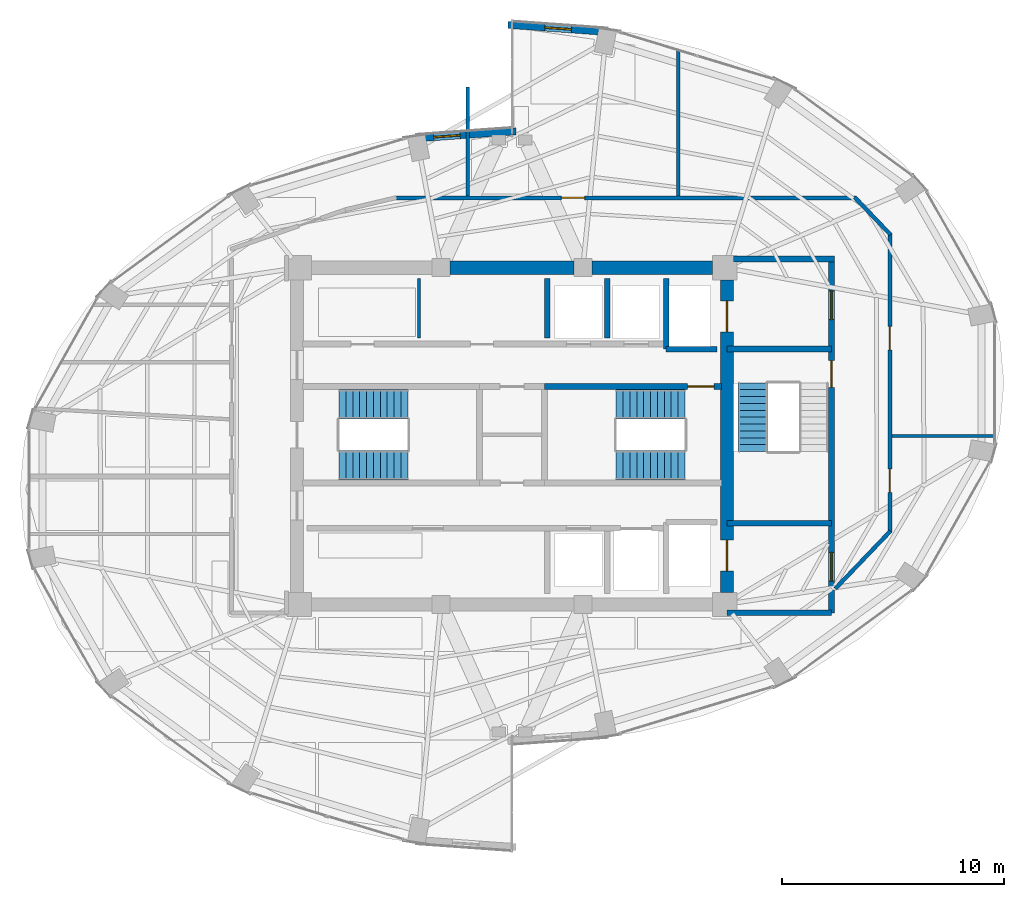
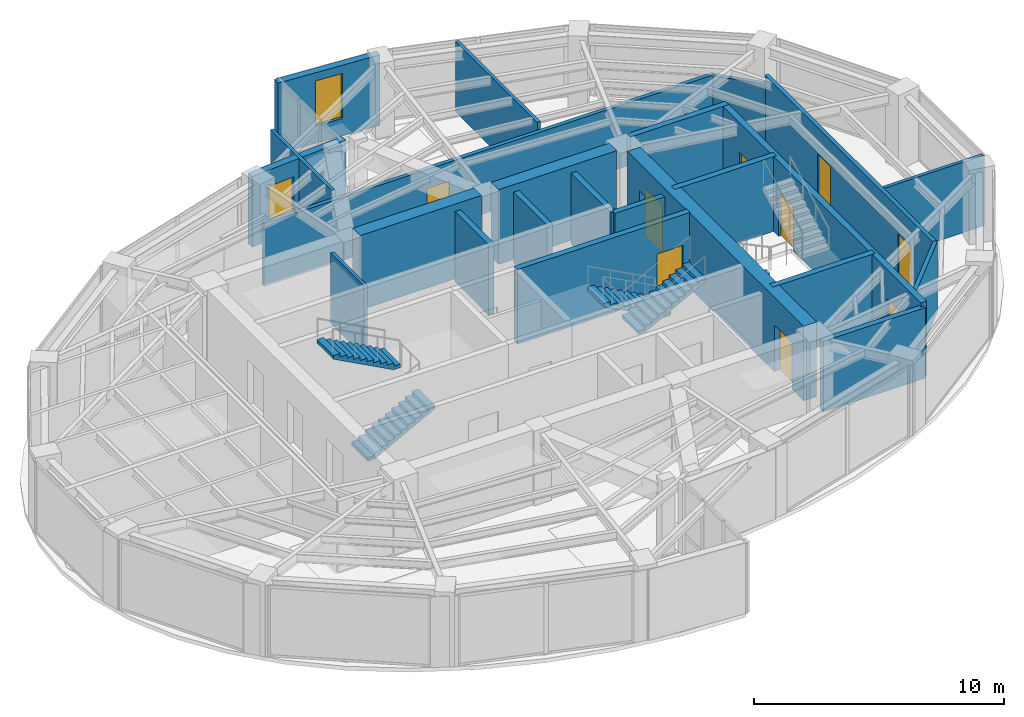
# One storey, part 20 of 23: 23 walls, 9 doors, 5 stair flights, 2 windows, 11 openings, 3 elements without a shape of their own.
"""IFC4 building model written with IfcOpenShell, lengths in metres."""

from ifc_helpers import new_model, si_unit, direction, frame, frame_2d, origin, place, context, subcontext, project, spatial, polyline, rectangle, outline, extrude, material, layer, layer_set, type_object, element, fill, aggregate, save


model = new_model("IFC4")

# Units and contexts
model_context = context("Model", 3, precision=1e-05, world=origin(), true_north=direction((0.0, 1.0)))
body_context = subcontext(model_context, "Body", "Model", "MODEL_VIEW")
ifc_project = project(units=[si_unit("LENGTHUNIT", "METRE"), si_unit("AREAUNIT", "SQUARE_METRE"), si_unit("VOLUMEUNIT", "CUBIC_METRE"), si_unit("PLANEANGLEUNIT", "RADIAN"), si_unit("MASSUNIT", "GRAM", prefix="KILO")], contexts=[model_context])

# Site, building, storey
site_placement = place(None, origin())
site = spatial("IfcSite", under=ifc_project, at=site_placement, CompositionType="ELEMENT")
building_placement = place(site_placement, origin())
building = spatial("IfcBuilding", under=site, at=building_placement, Name="Lazwardi Medical Tower", CompositionType="ELEMENT")
storey_placement = place(building_placement, frame((0.0, 0.0, 205.77587890625)))
storey = spatial("IfcBuildingStorey", under=building, at=storey_placement, Name="L53", CompositionType="ELEMENT", Elevation=205.77587890625)

# Wall, opening, door
ifc_material_1 = material(Name="Fire-rated gypsum board on steel stud", Category="steel")
ifc_layer_1 = layer(ifc_material_1, 0.179931640625)
ifc_layer_set_1 = layer_set([ifc_layer_1], Name="Fire-rated gypsum board on steel stud")
wall_type_1 = type_object("IfcWallType", Name="WL-COR-180", PredefinedType="PARTITIONING", material=ifc_layer_set_1)
wall_1_placement = place(storey_placement, frame((30.709716796875, 38.75, 0.0), z_axis=(0.0, 0.0, 1.0), x_axis=(1.0, 0.0, 0.0)))
wall_1 = element("IfcWall", 1, at=wall_1_placement, inside=storey, type_object=wall_type_1, Name="L53 Corridor partition 3", PredefinedType="PARTITIONING", context=body_context, shape_type="SweptSolid", body=[
    extrude(rectangle(XDim=20.8154296875, YDim=0.179931640625, at=frame_2d((10.40771484375, 0.0))), origin(), (0.0, 0.0, 1.0), 3.0732421875),
])
opening_1_placement = place(wall_1_placement, frame((7.51513671875, 0.0, 0.0)))
opening_1 = element("IfcOpeningElement", 2, at=opening_1_placement, cuts=wall_1, Name="Opening D-L53-014", PredefinedType="OPENING", context=body_context, shape_type="SweptSolid", body=[
    extrude(rectangle(XDim=1.050048828125, YDim=2.14990234375, at=frame_2d((0.52490234375, 1.074951171875))), frame((0.0, 0.099853515625, 0.0), z_axis=(0.0, -1.0, 0.0), x_axis=(1.0, 0.0, 0.0)), (0.0, 0.0, 1.0), 0.199951171875),
])
ifc_material_2 = material(Name="Anti-microbial laminate hospital leaf")
door_type_1 = type_object("IfcDoorType", Name="DR-CLN-1050", OperationType="NOTDEFINED", PredefinedType="DOOR", material=ifc_material_2)
door_1_placement = place(opening_1_placement, origin())
door_1 = element("IfcDoor", 3, at=door_1_placement, inside=storey, type_object=door_type_1, Name="L53 Outpatient Consultation Suite Door 05", OperationType="SINGLE_SWING_LEFT", OverallHeight=2.14990234375, OverallWidth=1.050048828125, PredefinedType="DOOR", context=body_context, shape_type="SweptSolid", body=[
    extrude(rectangle(XDim=1.050048828125, YDim=2.14990234375, at=frame_2d((0.52490234375, 1.074951171875))), frame((0.0, 0.02490234375, 0.0), z_axis=(0.0, -1.0, 0.0), x_axis=(1.0, 0.0, 0.0)), (0.0, 0.0, 1.0), 0.050048828125),
])
fill(opening_1, door_1)

# Wall
wall_2_placement = place(storey_placement, frame((51.45751953125, 38.77880859375, 0.0), z_axis=(0.0, 0.0, 1.0), x_axis=(0.691359830363, -0.722510612352, 0.0)))
element("IfcWall", 4, at=wall_2_placement, inside=storey, type_object=wall_type_1, Name="L53 Corridor partition 4", PredefinedType="PARTITIONING", context=body_context, shape_type="SweptSolid", body=[
    extrude(rectangle(XDim=2.34326171875, YDim=0.179931640625, at=frame_2d((1.171630859375, 0.0))), origin(), (0.0, 0.0, 1.0), 3.033203125),
])

# Wall, openings, doors
wall_3_placement = place(storey_placement, frame((53.050048828125, 37.154541015625, 0.0), z_axis=(0.0, 0.0, 1.0), x_axis=(0.0, -1.0, 0.0)))
wall_3 = element("IfcWall", 5, at=wall_3_placement, inside=storey, type_object=wall_type_1, Name="L53 Corridor partition 5", PredefinedType="PARTITIONING", context=body_context, shape_type="SweptSolid", body=[
    extrude(rectangle(XDim=13.509033203125, YDim=0.179931640625, at=frame_2d((6.75439453125, 0.0))), origin(), (0.0, 0.0, 1.0), 3.4482421875),
])
opening_2_placement = place(wall_3_placement, frame((10.647705078125, 0.0, 0.0)))
opening_2 = element("IfcOpeningElement", 6, at=opening_2_placement, cuts=wall_3, Name="Opening D-L53-012", PredefinedType="OPENING", context=body_context, shape_type="SweptSolid", body=[
    extrude(rectangle(XDim=1.050048828125, YDim=2.14990234375, at=frame_2d((0.52490234375, 1.074951171875))), frame((0.0, 0.099853515625, 0.0), z_axis=(0.0, -1.0, 0.0), x_axis=(1.0, 0.0, 0.0)), (0.0, 0.0, 1.0), 0.199951171875),
])
opening_3_placement = place(wall_3_placement, frame((4.211181640625, 0.0, 0.0)))
opening_3 = element("IfcOpeningElement", 7, at=opening_3_placement, cuts=wall_3, Name="Opening D-L53-013", PredefinedType="OPENING", context=body_context, shape_type="SweptSolid", body=[
    extrude(rectangle(XDim=1.050048828125, YDim=2.14990234375, at=frame_2d((0.52490234375, 1.074951171875))), frame((0.0, 0.099853515625, 0.0), z_axis=(0.0, -1.0, 0.0), x_axis=(1.0, 0.0, 0.0)), (0.0, 0.0, 1.0), 0.199951171875),
])
door_2_placement = place(opening_2_placement, origin())
door_2 = element("IfcDoor", 8, at=door_2_placement, inside=storey, type_object=door_type_1, Name="L53 Medical Duty Staff Room Door 03", OperationType="SINGLE_SWING_LEFT", OverallHeight=2.14990234375, OverallWidth=1.050048828125, PredefinedType="DOOR", context=body_context, shape_type="SweptSolid", body=[
    extrude(rectangle(XDim=1.050048828125, YDim=2.14990234375, at=frame_2d((0.52490234375, 1.074951171875))), frame((0.0, 0.02490234375, 0.0), z_axis=(0.0, -1.0, 0.0), x_axis=(1.0, 0.0, 0.0)), (0.0, 0.0, 1.0), 0.050048828125),
])
fill(opening_2, door_2)
door_3_placement = place(opening_3_placement, origin())
door_3 = element("IfcDoor", 9, at=door_3_placement, inside=storey, type_object=door_type_1, Name="L53 Clinical Specialist Office Door 04", OperationType="SINGLE_SWING_RIGHT", OverallHeight=2.14990234375, OverallWidth=1.050048828125, PredefinedType="DOOR", context=body_context, shape_type="SweptSolid", body=[
    extrude(rectangle(XDim=1.050048828125, YDim=2.14990234375, at=frame_2d((0.52490234375, 1.074951171875))), frame((0.0, 0.02490234375, 0.0), z_axis=(0.0, -1.0, 0.0), x_axis=(1.0, 0.0, 0.0)), (0.0, 0.0, 1.0), 0.050048828125),
])
fill(opening_3, door_3)

# Wall
wall_4_placement = place(storey_placement, frame((53.07763671875, 23.71435546875, 0.0), z_axis=(0.0, 0.0, 1.0), x_axis=(-0.691353379446, -0.722516785085, 0.0)))
element("IfcWall", 10, at=wall_4_placement, inside=storey, type_object=wall_type_1, Name="L53 Corridor partition 6", PredefinedType="PARTITIONING", context=body_context, shape_type="SweptSolid", body=[
    extrude(rectangle(XDim=3.603759765625, YDim=0.179931640625, at=frame_2d((1.8017578125, 0.0))), origin(), (0.0, 0.0, 1.0), 3.4482421875),
])

# Wall, openings, doors
ifc_material_3 = material(Name="Concrete C60/75", Category="concrete")
ifc_layer_2 = layer(ifc_material_3, 0.60009765625)
ifc_layer_set_2 = layer_set([ifc_layer_2], Name="Concrete C60/75")
wall_type_2 = type_object("IfcWallType", Name="WL-CORE-600", PredefinedType="SHEAR", material=ifc_layer_set_2)
wall_5_placement = place(storey_placement, frame((45.699951171875, 20.949951171875, 0.0), z_axis=(0.0, 0.0, 1.0), x_axis=(0.0, 1.0, 0.0)))
wall_5 = element("IfcWall", 11, at=wall_5_placement, inside=storey, type_object=wall_type_2, Name="Core wall CW-S3 east L53", PredefinedType="SHEAR", context=body_context, shape_type="SweptSolid", body=[
    extrude(rectangle(XDim=14.10009765625, YDim=0.60009765625, at=frame_2d((7.050048828125, 0.0))), origin(), (0.0, 0.0, 1.0), 3.648193359375),
])
opening_4_placement = place(wall_5_placement, frame((11.75, 0.0, 0.0)))
opening_4 = element("IfcOpeningElement", 12, at=opening_4_placement, cuts=wall_5, Name="Opening LD-L53-001", PredefinedType="OPENING", context=body_context, shape_type="SweptSolid", body=[
    extrude(rectangle(XDim=1.39990234375, YDim=2.300048828125, at=frame_2d((0.699951171875, 1.14990234375))), frame((0.0, 0.31005859375, 0.0), z_axis=(0.0, -1.0, 0.0), x_axis=(1.0, 0.0, 0.0)), (0.0, 0.0, 1.0), 0.6201171875),
])
opening_5_placement = place(wall_5_placement, frame((0.949951171875, 0.0, 0.0)))
opening_5 = element("IfcOpeningElement", 13, at=opening_5_placement, cuts=wall_5, Name="Opening LD-L53-002", PredefinedType="OPENING", context=body_context, shape_type="SweptSolid", body=[
    extrude(rectangle(XDim=1.39990234375, YDim=2.300048828125, at=frame_2d((0.699951171875, 1.14990234375))), frame((0.0, 0.31005859375, 0.0), z_axis=(0.0, -1.0, 0.0), x_axis=(1.0, 0.0, 0.0)), (0.0, 0.0, 1.0), 0.6201171875),
])
ifc_material_4 = material(Name="Brushed stainless steel bed-lift landing door", Category="steel")
door_type_2 = type_object("IfcDoorType", Name="DR-LFT-1400", OperationType="NOTDEFINED", PredefinedType="DOOR", material=ifc_material_4)
door_4_placement = place(opening_4_placement, origin())
door_4 = element("IfcDoor", 14, at=door_4_placement, inside=storey, type_object=door_type_2, Name="L53 Lift Landing Door FL-01", OperationType="SLIDING_TO_LEFT", OverallHeight=2.300048828125, OverallWidth=1.39990234375, PredefinedType="DOOR", context=body_context, shape_type="SweptSolid", body=[
    extrude(rectangle(XDim=1.39990234375, YDim=2.300048828125, at=frame_2d((0.699951171875, 1.14990234375))), frame((0.0, 0.02490234375, 0.0), z_axis=(0.0, -1.0, 0.0), x_axis=(1.0, 0.0, 0.0)), (0.0, 0.0, 1.0), 0.050048828125),
])
fill(opening_4, door_4)
door_5_placement = place(opening_5_placement, origin())
door_5 = element("IfcDoor", 15, at=door_5_placement, inside=storey, type_object=door_type_2, Name="L53 Lift Landing Door FL-02", OperationType="SLIDING_TO_LEFT", OverallHeight=2.300048828125, OverallWidth=1.39990234375, PredefinedType="DOOR", context=body_context, shape_type="SweptSolid", body=[
    extrude(rectangle(XDim=1.39990234375, YDim=2.300048828125, at=frame_2d((0.699951171875, 1.14990234375))), frame((0.0, 0.02490234375, 0.0), z_axis=(0.0, -1.0, 0.0), x_axis=(1.0, 0.0, 0.0)), (0.0, 0.0, 1.0), 0.050048828125),
])
fill(opening_5, door_5)

# Walls
wall_6_placement = place(storey_placement, frame((33.199951171875, 35.60009765625, 0.0), z_axis=(0.0, 0.0, 1.0), x_axis=(1.0, 0.0, 0.0)))
element("IfcWall", 16, at=wall_6_placement, inside=storey, type_object=wall_type_2, Name="Core wall CW-S3 N2 L53", PredefinedType="SHEAR", context=body_context, shape_type="SweptSolid", body=[
    extrude(rectangle(XDim=5.60009765625, YDim=0.60009765625, at=frame_2d((2.800048828125, 0.0))), origin(), (0.0, 0.0, 1.0), 3.648193359375),
])
wall_7_placement = place(storey_placement, frame((39.60009765625, 35.60009765625, 0.0), z_axis=(0.0, 0.0, 1.0), x_axis=(1.0, 0.0, 0.0)))
element("IfcWall", 17, at=wall_7_placement, inside=storey, type_object=wall_type_2, Name="Core wall CW-S3 N3 L53", PredefinedType="SHEAR", context=body_context, shape_type="SweptSolid", body=[
    extrude(rectangle(XDim=5.449951171875, YDim=0.60009765625, at=frame_2d((2.72509765625, 0.0))), origin(), (0.0, 0.0, 1.0), 3.648193359375),
])

# Wall, opening, window
ifc_material_5 = material(Name="Precast concrete C45/55", Category="concrete")
ifc_layer_3 = layer(ifc_material_5, 0.320068359375)
ifc_layer_set_3 = layer_set([ifc_layer_3], Name="Precast concrete C45/55")
wall_type_3 = type_object("IfcWallType", Name="WL-IWAN-320", PredefinedType="SOLIDWALL", material=ifc_layer_set_3)
wall_8_placement = place(storey_placement, frame((40.349609375, 46.226318359375, 0.0), z_axis=(0.0, 0.0, 1.0), x_axis=(-0.997409061056, 0.071938619141, 0.0)))
wall_8 = element("IfcWall", 18, at=wall_8_placement, inside=storey, type_object=wall_type_3, Name="L53 Iwan Portal Return Wall NE_ret", PredefinedType="SOLIDWALL", context=body_context, shape_type="SweptSolid", body=[
    extrude(rectangle(XDim=4.540771484375, YDim=0.320068359375, at=frame_2d((2.2705078125, 0.0))), origin(), (0.0, 0.0, 1.0), 3.4482421875),
])
opening_6_placement = place(wall_8_placement, frame((1.67041015625, 0.0, 0.85009765625)))
opening_6 = element("IfcOpeningElement", 19, at=opening_6_placement, cuts=wall_8, Name="Opening WN-01", PredefinedType="OPENING", context=body_context, shape_type="SweptSolid", body=[
    extrude(rectangle(XDim=1.199951171875, YDim=2.199951171875, at=frame_2d((0.60009765625, 1.10009765625))), frame((0.0, 0.169921875, 0.0), z_axis=(0.0, -1.0, 0.0), x_axis=(1.0, 0.0, 0.0)), (0.0, 0.0, 1.0), 0.340087890625),
])
ifc_material_6 = material(Name="Low-e bronze solar control double glazing", Category="glass")
window_type_1 = type_object("IfcWindowType", Name="WIN-IW-1200", PartitioningType="SINGLE_PANEL", PredefinedType="WINDOW", material=ifc_material_6)
window_1_placement = place(opening_6_placement, origin())
window_1 = element("IfcWindow", 20, at=window_1_placement, inside=storey, type_object=window_type_1, Name="L53 Iwan Slot Window NE_ret", OverallHeight=2.199951171875, OverallWidth=1.199951171875, PartitioningType="SINGLE_PANEL", PredefinedType="WINDOW", context=body_context, shape_type="SweptSolid", body=[
    extrude(rectangle(XDim=1.199951171875, YDim=2.199951171875, at=frame_2d((0.60009765625, 1.10009765625))), frame((0.0, 0.030029296875, 0.0), z_axis=(0.0, -1.0, 0.0), x_axis=(1.0, 0.0, 0.0)), (0.0, 0.0, 1.0), 0.06005859375),
])
fill(opening_6, window_1)

wall_9_placement = place(storey_placement, frame((36.17919921875, 41.7529296875, 0.0), z_axis=(0.0, 0.0, 1.0), x_axis=(-0.997408782787, -0.071942477163, 0.0)))
wall_9 = element("IfcWall", 21, at=wall_9_placement, inside=storey, type_object=wall_type_3, Name="L53 Iwan Portal Return Wall NW_ret", PredefinedType="SOLIDWALL", context=body_context, shape_type="SweptSolid", body=[
    extrude(rectangle(XDim=4.54052734375, YDim=0.320068359375, at=frame_2d((2.270263671875, 0.0))), origin(), (0.0, 0.0, 1.0), 3.4482421875),
])
opening_7_placement = place(wall_9_placement, frame((2.52587890625, 0.0, 0.85009765625)))
opening_7 = element("IfcOpeningElement", 22, at=opening_7_placement, cuts=wall_9, Name="Opening WN-04", PredefinedType="OPENING", context=body_context, shape_type="SweptSolid", body=[
    extrude(rectangle(XDim=1.199951171875, YDim=1.800048828125, at=frame_2d((0.60009765625, 0.89990234375))), frame((0.0, 0.169921875, 0.0), z_axis=(0.0, -1.0, 0.0), x_axis=(1.0, 0.0, 0.0)), (0.0, 0.0, 1.0), 0.340087890625),
])
window_type_2 = type_object("IfcWindowType", Name="WIN-DRUM-1200", PartitioningType="SINGLE_PANEL", PredefinedType="WINDOW", material=ifc_material_6)
window_2_placement = place(opening_7_placement, origin())
window_2 = element("IfcWindow", 23, at=window_2_placement, inside=storey, type_object=window_type_2, Name="L53 Iwan Slot Window NW_ret", OverallHeight=1.800048828125, OverallWidth=1.199951171875, PartitioningType="SINGLE_PANEL", PredefinedType="WINDOW", context=body_context, shape_type="SweptSolid", body=[
    extrude(rectangle(XDim=1.199951171875, YDim=1.800048828125, at=frame_2d((0.60009765625, 0.89990234375))), frame((0.0, 0.030029296875, 0.0), z_axis=(0.0, -1.0, 0.0), x_axis=(1.0, 0.0, 0.0)), (0.0, 0.0, 1.0), 0.06005859375),
])
fill(opening_7, window_2)

# Walls
ifc_material_7 = material(Name="Autoclaved aerated concrete blockwork", Category="masonry")
ifc_layer_4 = layer(ifc_material_7, 0.25)
ifc_layer_set_4 = layer_set([ifc_layer_4], Name="Autoclaved aerated concrete blockwork")
wall_type_4 = type_object("IfcWallType", Name="WL-SHAFT-250", PredefinedType="SOLIDWALL", material=ifc_layer_set_4)
wall_10_placement = place(storey_placement, frame((42.949951171875, 31.919921875, 0.0), z_axis=(0.0, 0.0, 1.0), x_axis=(0.0, 1.0, 0.0)))
element("IfcWall", 24, at=wall_10_placement, inside=storey, type_object=wall_type_4, Name="L53 FL-01 West shaft wall", PredefinedType="SOLIDWALL", context=body_context, shape_type="SweptSolid", body=[
    extrude(rectangle(XDim=3.18017578125, YDim=0.25, at=frame_2d((1.590087890625, 0.0))), origin(), (0.0, 0.0, 1.0), 3.4482421875),
])
wall_11_placement = place(storey_placement, frame((42.949951171875, 31.919921875, 0.0), z_axis=(0.0, 0.0, 1.0), x_axis=(1.0, 0.0, 0.0)))
element("IfcWall", 25, at=wall_11_placement, inside=storey, type_object=wall_type_4, Name="L53 FL-01 South shaft wall", PredefinedType="SOLIDWALL", context=body_context, shape_type="SweptSolid", body=[
    extrude(rectangle(XDim=2.300048828125, YDim=0.25, at=frame_2d((1.14990234375, 0.0))), origin(), (0.0, 0.0, 1.0), 3.4482421875),
])
for number, where, z_axis, x_axis, name in (
    (26, (37.60009765625, 32.419921875, 0.0), (0.0, 0.0, 1.0), (0.0, 1.0, 0.0), "L53 North hoistway divider"),
    (27, (40.300048828125, 32.419921875, 0.0), (0.0, 0.0, 1.0), (0.0, 1.0, 0.0), "L53 North hoistway divider"),
):
    element("IfcWall", number, at=place(storey_placement, frame(where, z_axis=z_axis, x_axis=x_axis)), inside=storey, type_object=wall_type_4, Name=name, PredefinedType="SOLIDWALL", context=body_context, shape_type="SweptSolid", body=[
        extrude(rectangle(XDim=2.68017578125, YDim=0.25, at=frame_2d((1.340087890625, 0.0))), origin(), (0.0, 0.0, 1.0), 3.4482421875),
    ])
wall_12_placement = place(storey_placement, frame((45.699951171875, 20.02001953125, 0.0), z_axis=(0.0, 0.0, 1.0), x_axis=(1.0, 0.0, 0.0)))
element("IfcWall", 28, at=wall_12_placement, inside=storey, type_object=wall_type_4, Name="L53 FFL-S South wall", PredefinedType="SOLIDWALL", context=body_context, shape_type="SweptSolid", body=[
    extrude(rectangle(XDim=4.715087890625, YDim=0.25, at=frame_2d((2.357421875, 0.0))), origin(), (0.0, 0.0, 1.0), 3.4482421875),
])

# Wall, opening, door
ifc_material_8 = material(Name="Concrete C50/60", Category="concrete")
ifc_layer_5 = layer(ifc_material_8, 0.27001953125)
ifc_layer_set_5 = layer_set([ifc_layer_5], Name="Concrete C50/60")
wall_type_5 = type_object("IfcWallType", Name="WL-STR-250", PredefinedType="SHEAR", material=ifc_layer_set_5)
wall_13_placement = place(storey_placement, frame((37.465087890625, 30.235107421875, 0.0), z_axis=(0.0, 0.0, 1.0), x_axis=(1.0, 0.0, 0.0)))
wall_13 = element("IfcWall", 29, at=wall_13_placement, inside=storey, type_object=wall_type_5, Name="L53 ST2 North shear shaft wall SW-S1", PredefinedType="SHEAR", context=body_context, shape_type="SweptSolid", body=[
    extrude(rectangle(XDim=7.98486328125, YDim=0.27001953125, at=frame_2d((3.992431640625, 0.0))), origin(), (0.0, 0.0, 1.0), 3.648193359375),
])
opening_8_placement = place(wall_13_placement, frame((6.455078125, 0.0, 0.0)))
opening_8 = element("IfcOpeningElement", 30, at=opening_8_placement, cuts=wall_13, Name="Opening D-L53-019", PredefinedType="OPENING", context=body_context, shape_type="SweptSolid", body=[
    extrude(rectangle(XDim=1.199951171875, YDim=2.14990234375, at=frame_2d((0.60009765625, 1.074951171875))), frame((0.0, 0.14501953125, 0.0), z_axis=(0.0, -1.0, 0.0), x_axis=(1.0, 0.0, 0.0)), (0.0, 0.0, 1.0), 0.2900390625),
])
ifc_material_9 = material(Name="Fire-rated steel leaf and frame", Category="steel")
door_type_3 = type_object("IfcDoorType", Name="DR-STR-1200", OperationType="NOTDEFINED", PredefinedType="DOOR", material=ifc_material_9)
door_6_placement = place(opening_8_placement, origin())
door_6 = element("IfcDoor", 31, at=door_6_placement, inside=storey, type_object=door_type_3, Name="L53 Exit Stair ST2 Door", OperationType="SINGLE_SWING_RIGHT", OverallHeight=2.14990234375, OverallWidth=1.199951171875, PredefinedType="DOOR", context=body_context, shape_type="SweptSolid", body=[
    extrude(rectangle(XDim=1.199951171875, YDim=2.14990234375, at=frame_2d((0.60009765625, 1.074951171875))), frame((0.0, 0.02490234375, 0.0), z_axis=(0.0, -1.0, 0.0), x_axis=(1.0, 0.0, 0.0)), (0.0, 0.0, 1.0), 0.050048828125),
])
fill(opening_8, door_6)

# Wall, openings, doors
wall_14_placement = place(storey_placement, frame((50.4150390625, 35.844970703125, 0.0), z_axis=(0.0, 0.0, 1.0), x_axis=(0.0, -1.0, 0.0)))
wall_14 = element("IfcWall", 32, at=wall_14_placement, inside=storey, type_object=wall_type_5, Name="L53 East ST3 & FFL shear wall SW-S1", PredefinedType="SHEAR", context=body_context, shape_type="SweptSolid", body=[
    extrude(rectangle(XDim=15.824951171875, YDim=0.27001953125, at=frame_2d((7.91259765625, 0.0))), origin(), (0.0, 0.0, 1.0), 3.648193359375),
])
opening_9_placement = place(wall_14_placement, frame((4.445068359375, 0.0, 0.0)))
opening_9 = element("IfcOpeningElement", 33, at=opening_9_placement, cuts=wall_14, Name="Opening D-L53-020", PredefinedType="OPENING", context=body_context, shape_type="SweptSolid", body=[
    extrude(rectangle(XDim=1.199951171875, YDim=2.14990234375, at=frame_2d((0.60009765625, 1.074951171875))), frame((0.0, 0.14501953125, 0.0), z_axis=(0.0, -1.0, 0.0), x_axis=(1.0, 0.0, 0.0)), (0.0, 0.0, 1.0), 0.2900390625),
])
opening_10_placement = place(wall_14_placement, frame((1.294921875, 0.0, 0.0)))
opening_10 = element("IfcOpeningElement", 34, at=opening_10_placement, cuts=wall_14, Name="Opening D-L53-006", PredefinedType="OPENING", context=body_context, shape_type="SweptSolid", body=[
    extrude(rectangle(XDim=1.300048828125, YDim=2.199951171875, at=frame_2d((0.64990234375, 1.10009765625))), frame((0.0, 0.14501953125, 0.0), z_axis=(0.0, -1.0, 0.0), x_axis=(1.0, 0.0, 0.0)), (0.0, 0.0, 1.0), 0.2900390625),
])
opening_11_placement = place(wall_14_placement, frame((13.094970703125, 0.0, 0.0)))
opening_11 = element("IfcOpeningElement", 35, at=opening_11_placement, cuts=wall_14, Name="Opening D-L53-007", PredefinedType="OPENING", context=body_context, shape_type="SweptSolid", body=[
    extrude(rectangle(XDim=1.300048828125, YDim=2.199951171875, at=frame_2d((0.64990234375, 1.10009765625))), frame((0.0, 0.14501953125, 0.0), z_axis=(0.0, -1.0, 0.0), x_axis=(1.0, 0.0, 0.0)), (0.0, 0.0, 1.0), 0.2900390625),
])
door_type_4 = type_object("IfcDoorType", Name="DR-FFL-1300", OperationType="NOTDEFINED", PredefinedType="DOOR", material=ifc_material_9)
door_7_placement = place(opening_10_placement, origin())
door_7 = element("IfcDoor", 36, at=door_7_placement, inside=storey, type_object=door_type_4, Name="L53 Fire-Fighting Lobby North Door", OperationType="SINGLE_SWING_LEFT", OverallHeight=2.199951171875, OverallWidth=1.300048828125, PredefinedType="DOOR", context=body_context, shape_type="SweptSolid", body=[
    extrude(rectangle(XDim=1.300048828125, YDim=2.199951171875, at=frame_2d((0.64990234375, 1.10009765625))), frame((0.0, 0.02490234375, 0.0), z_axis=(0.0, -1.0, 0.0), x_axis=(1.0, 0.0, 0.0)), (0.0, 0.0, 1.0), 0.050048828125),
])
fill(opening_10, door_7)
door_8_placement = place(opening_11_placement, origin())
door_8 = element("IfcDoor", 37, at=door_8_placement, inside=storey, type_object=door_type_4, Name="L53 Fire-Fighting Lobby South Door", OperationType="SINGLE_SWING_RIGHT", OverallHeight=2.199951171875, OverallWidth=1.300048828125, PredefinedType="DOOR", context=body_context, shape_type="SweptSolid", body=[
    extrude(rectangle(XDim=1.300048828125, YDim=2.199951171875, at=frame_2d((0.64990234375, 1.10009765625))), frame((0.0, 0.02490234375, 0.0), z_axis=(0.0, -1.0, 0.0), x_axis=(1.0, 0.0, 0.0)), (0.0, 0.0, 1.0), 0.050048828125),
])
fill(opening_11, door_8)
door_9_placement = place(opening_9_placement, origin())
door_9 = element("IfcDoor", 38, at=door_9_placement, inside=storey, type_object=door_type_3, Name="L53 Exit Stair ST3 Door", OperationType="SINGLE_SWING_RIGHT", OverallHeight=2.14990234375, OverallWidth=1.199951171875, PredefinedType="DOOR", context=body_context, shape_type="SweptSolid", body=[
    extrude(rectangle(XDim=1.199951171875, YDim=2.14990234375, at=frame_2d((0.60009765625, 1.074951171875))), frame((0.0, 0.02490234375, 0.0), z_axis=(0.0, -1.0, 0.0), x_axis=(1.0, 0.0, 0.0)), (0.0, 0.0, 1.0), 0.050048828125),
])
fill(opening_9, door_9)

# Walls
wall_15_placement = place(storey_placement, frame((46.0, 35.97998046875, 0.0), z_axis=(0.0, 0.0, 1.0), x_axis=(1.0, 0.0, 0.0)))
element("IfcWall", 39, at=wall_15_placement, inside=storey, type_object=wall_type_5, Name="L53 FFL-N North shear wall SW-S1", PredefinedType="SHEAR", context=body_context, shape_type="SweptSolid", body=[
    extrude(rectangle(XDim=4.550048828125, YDim=0.27001953125, at=frame_2d((2.27490234375, 0.0))), origin(), (0.0, 0.0, 1.0), 3.648193359375),
])
for number, where, z_axis, x_axis, name in (
    (40, (45.699951171875, 31.93505859375, 0.0), (0.0, 0.0, 1.0), (1.0, 0.0, 0.0), "L53 ST3 North shear shaft wall SW-S1"),
    (41, (45.699951171875, 24.06494140625, 0.0), (0.0, 0.0, 1.0), (1.0, 0.0, 0.0), "L53 ST3 South shear shaft wall SW-S1"),
):
    element("IfcWall", number, at=place(storey_placement, frame(where, z_axis=z_axis, x_axis=x_axis)), inside=storey, type_object=wall_type_5, Name=name, PredefinedType="SHEAR", context=body_context, shape_type="SweptSolid", body=[
        extrude(rectangle(XDim=4.715087890625, YDim=0.27001953125, at=frame_2d((2.357421875, 0.0))), origin(), (0.0, 0.0, 1.0), 3.648193359375),
    ])
ifc_material_10 = material(Name="Acoustic gypsum board partition")
ifc_layer_6 = layer(ifc_material_10, 0.14990234375)
ifc_layer_set_6 = layer_set([ifc_layer_6], Name="Acoustic gypsum board partition")
wall_type_6 = type_object("IfcWallType", Name="WL-WRD-150", PredefinedType="PARTITIONING", material=ifc_layer_set_6)
wall_16_placement = place(storey_placement, frame((31.800048828125, 32.419921875, 0.0), z_axis=(0.0, 0.0, 1.0), x_axis=(0.0, 1.0, 0.0)))
element("IfcWall", 42, at=wall_16_placement, inside=storey, type_object=wall_type_6, Name="L53 Freed bay2 N split", PredefinedType="PARTITIONING", context=body_context, shape_type="SweptSolid", body=[
    extrude(rectangle(XDim=2.68017578125, YDim=0.14990234375, at=frame_2d((1.340087890625, 0.0))), origin(), (0.0, 0.0, 1.0), 3.4482421875),
])
wall_17_placement = place(storey_placement, frame((53.139892578125, 28.0, 0.0), z_axis=(0.0, 0.0, 1.0), x_axis=(1.0, 0.0, 0.0)))
element("IfcWall", 43, at=wall_17_placement, inside=storey, type_object=wall_type_6, Name="L53 Room partition 6", PredefinedType="PARTITIONING", context=body_context, shape_type="SweptSolid", body=[
    extrude(rectangle(XDim=4.6318359375, YDim=0.14990234375, at=frame_2d((2.31591796875, 0.0))), origin(), (0.0, 0.0, 1.0), 3.4482421875),
])
wall_18_placement = place(storey_placement, frame((34.0, 38.840087890625, 0.0), z_axis=(0.0, 0.0, 1.0), x_axis=(0.0, 1.0, 0.0)))
element("IfcWall", 44, at=wall_18_placement, inside=storey, type_object=wall_type_6, Name="L53 Room partition 7", PredefinedType="PARTITIONING", context=body_context, shape_type="SweptSolid", body=[
    extrude(rectangle(XDim=4.904052734375, YDim=0.14990234375, at=frame_2d((2.4521484375, 0.0))), origin(), (0.0, 0.0, 1.0), 3.4482421875),
])
wall_19_placement = place(storey_placement, frame((43.5, 38.840087890625, 0.0), z_axis=(0.0, 0.0, 1.0), x_axis=(0.0, 1.0, 0.0)))
element("IfcWall", 45, at=wall_19_placement, inside=storey, type_object=wall_type_6, Name="L53 Room partition 8", PredefinedType="PARTITIONING", context=body_context, shape_type="SweptSolid", body=[
    extrude(rectangle(XDim=6.55224609375, YDim=0.14990234375, at=frame_2d((3.276123046875, 0.0))), origin(), (0.0, 0.0, 1.0), 3.4482421875),
])

# Stair, stair flights
ifc_material_11 = material(Name="Concrete C45/55", Category="concrete")
stair_type = type_object("IfcStairType", Name="STR-WRD", PredefinedType="HALF_TURN_STAIR", material=ifc_material_11)
stair_1_placement = place(storey_placement, origin())
stair_1 = element("IfcStair", 46, at=stair_1_placement, inside=storey, type_object=stair_type, Name="L53 Protected Exit Stair ST1", PredefinedType="HALF_TURN_STAIR")
stair_flight_type = type_object("IfcStairFlightType", Name="FLT-WRD", PredefinedType="STRAIGHT", material=ifc_material_11)
stair_flight_1_placement = place(storey_placement, frame((28.199951171875, 26.679931640625, 0.0), z_axis=(0.0, 0.0, 1.0), x_axis=(1.0, 0.0, 0.0)))
stair_flight_1 = element("IfcStairFlight", 47, at=stair_flight_1_placement, type_object=stair_flight_type, Name="ST1 flight 1", NumberOfRisers=11, NumberOfTreads=10, PredefinedType="STRAIGHT", RiserHeight=0.165818182, TreadLength=0.31, context=body_context, shape_type="SweptSolid", body=[
    extrude(outline(polyline([(0.0, 0.0), (0.0, 0.165771484375), (0.31005859375, 0.165771484375), (0.31005859375, 0.33154296875), (0.6201171875, 0.33154296875), (0.6201171875, 0.49755859375), (0.929931640625, 0.49755859375), (0.929931640625, 0.663330078125), (1.239990234375, 0.663330078125), (1.239990234375, 0.8291015625), (1.550048828125, 0.8291015625), (1.550048828125, 0.994873046875), (1.860107421875, 0.994873046875), (1.860107421875, 1.16064453125), (2.169921875, 1.16064453125), (2.169921875, 1.32666015625), (2.47998046875, 1.32666015625), (2.47998046875, 1.492431640625), (2.7900390625, 1.492431640625), (2.7900390625, 1.658203125), (3.10009765625, 1.658203125), (3.10009765625, 1.823974609375), (3.10009765625, 1.48828125), (0.31787109375, 0.0), (0.0, 0.0)])), frame((0.0, 0.66015625, 0.0), z_axis=(0.0, -1.0, 0.0), x_axis=(1.0, 0.0, 0.0)), (0.0, 0.0, 1.0), 1.320068359375),
])
stair_flight_2_placement = place(storey_placement, frame((31.300048828125, 29.43994140625, 1.82421875), z_axis=(0.0, 0.0, 1.0), x_axis=(-1.0, 0.0, 0.0)))
stair_flight_2 = element("IfcStairFlight", 48, at=stair_flight_2_placement, type_object=stair_flight_type, Name="ST1 flight 2", NumberOfRisers=11, NumberOfTreads=10, PredefinedType="STRAIGHT", RiserHeight=0.165818182, TreadLength=0.31, context=body_context, shape_type="SweptSolid", body=[
    extrude(outline(polyline([(0.0, 0.0), (0.0, 0.165771484375), (0.31005859375, 0.165771484375), (0.31005859375, 0.33154296875), (0.6201171875, 0.33154296875), (0.6201171875, 0.49755859375), (0.929931640625, 0.49755859375), (0.929931640625, 0.663330078125), (1.239990234375, 0.663330078125), (1.239990234375, 0.8291015625), (1.550048828125, 0.8291015625), (1.550048828125, 0.994873046875), (1.860107421875, 0.994873046875), (1.860107421875, 1.16064453125), (2.169921875, 1.16064453125), (2.169921875, 1.32666015625), (2.47998046875, 1.32666015625), (2.47998046875, 1.492431640625), (2.7900390625, 1.492431640625), (2.7900390625, 1.658203125), (3.10009765625, 1.658203125), (3.10009765625, 1.823974609375), (3.10009765625, 1.48828125), (0.31787109375, 0.0), (0.0, 0.0)])), frame((0.0, 0.66015625, 0.0), z_axis=(0.0, -1.0, 0.0), x_axis=(1.0, 0.0, 0.0)), (0.0, 0.0, 1.0), 1.320068359375),
])
aggregate(stair_1, [stair_flight_1, stair_flight_2])

stair_2_placement = place(storey_placement, origin())
stair_2 = element("IfcStair", 49, at=stair_2_placement, inside=storey, type_object=stair_type, Name="L53 Protected Exit Stair ST2", PredefinedType="HALF_TURN_STAIR")
stair_flight_3_placement = place(storey_placement, frame((43.800048828125, 29.43994140625, 0.0), z_axis=(0.0, 0.0, 1.0), x_axis=(-1.0, 0.0, 0.0)))
stair_flight_3 = element("IfcStairFlight", 50, at=stair_flight_3_placement, type_object=stair_flight_type, Name="ST2 flight 1", NumberOfRisers=11, NumberOfTreads=10, PredefinedType="STRAIGHT", RiserHeight=0.165818182, TreadLength=0.31, context=body_context, shape_type="SweptSolid", body=[
    extrude(outline(polyline([(0.0, 0.0), (0.0, 0.165771484375), (0.31005859375, 0.165771484375), (0.31005859375, 0.33154296875), (0.6201171875, 0.33154296875), (0.6201171875, 0.49755859375), (0.929931640625, 0.49755859375), (0.929931640625, 0.663330078125), (1.239990234375, 0.663330078125), (1.239990234375, 0.8291015625), (1.550048828125, 0.8291015625), (1.550048828125, 0.994873046875), (1.860107421875, 0.994873046875), (1.860107421875, 1.16064453125), (2.169921875, 1.16064453125), (2.169921875, 1.32666015625), (2.47998046875, 1.32666015625), (2.47998046875, 1.492431640625), (2.7900390625, 1.492431640625), (2.7900390625, 1.658203125), (3.10009765625, 1.658203125), (3.10009765625, 1.823974609375), (3.10009765625, 1.48828125), (0.31787109375, 0.0), (0.0, 0.0)])), frame((0.0, 0.66015625, 0.0), z_axis=(0.0, -1.0, 0.0), x_axis=(1.0, 0.0, 0.0)), (0.0, 0.0, 1.0), 1.320068359375),
])
stair_flight_4_placement = place(storey_placement, frame((40.699951171875, 26.679931640625, 1.82421875), z_axis=(0.0, 0.0, 1.0), x_axis=(1.0, 0.0, 0.0)))
stair_flight_4 = element("IfcStairFlight", 51, at=stair_flight_4_placement, type_object=stair_flight_type, Name="ST2 flight 2", NumberOfRisers=11, NumberOfTreads=10, PredefinedType="STRAIGHT", RiserHeight=0.165818182, TreadLength=0.31, context=body_context, shape_type="SweptSolid", body=[
    extrude(outline(polyline([(0.0, 0.0), (0.0, 0.165771484375), (0.31005859375, 0.165771484375), (0.31005859375, 0.33154296875), (0.6201171875, 0.33154296875), (0.6201171875, 0.49755859375), (0.929931640625, 0.49755859375), (0.929931640625, 0.663330078125), (1.239990234375, 0.663330078125), (1.239990234375, 0.8291015625), (1.550048828125, 0.8291015625), (1.550048828125, 0.994873046875), (1.860107421875, 0.994873046875), (1.860107421875, 1.16064453125), (2.169921875, 1.16064453125), (2.169921875, 1.32666015625), (2.47998046875, 1.32666015625), (2.47998046875, 1.492431640625), (2.7900390625, 1.492431640625), (2.7900390625, 1.658203125), (3.10009765625, 1.658203125), (3.10009765625, 1.823974609375), (3.10009765625, 1.48828125), (0.31787109375, 0.0), (0.0, 0.0)])), frame((0.0, 0.66015625, 0.0), z_axis=(0.0, -1.0, 0.0), x_axis=(1.0, 0.0, 0.0)), (0.0, 0.0, 1.0), 1.320068359375),
])
aggregate(stair_2, [stair_flight_3, stair_flight_4])

# Stair, stair flight
stair_3_placement = place(storey_placement, origin())
stair_3 = element("IfcStair", 52, at=stair_3_placement, inside=storey, type_object=stair_type, Name="L53 Protected Exit Stair ST3", PredefinedType="HALF_TURN_STAIR")
stair_flight_5_placement = place(storey_placement, frame((46.860107421875, 30.39990234375, 0.0), z_axis=(0.0, 0.0, 1.0), x_axis=(0.0, -1.0, 0.0)))
stair_flight_5 = element("IfcStairFlight", 53, at=stair_flight_5_placement, type_object=stair_flight_type, Name="ST3 flight 1", NumberOfRisers=11, NumberOfTreads=10, PredefinedType="STRAIGHT", RiserHeight=0.165818182, TreadLength=0.31, context=body_context, shape_type="SweptSolid", body=[
    extrude(outline(polyline([(0.0, 0.0), (0.0, 0.165771484375), (0.31005859375, 0.165771484375), (0.31005859375, 0.33154296875), (0.6201171875, 0.33154296875), (0.6201171875, 0.49755859375), (0.929931640625, 0.49755859375), (0.929931640625, 0.663330078125), (1.239990234375, 0.663330078125), (1.239990234375, 0.8291015625), (1.550048828125, 0.8291015625), (1.550048828125, 0.994873046875), (1.860107421875, 0.994873046875), (1.860107421875, 1.16064453125), (2.169921875, 1.16064453125), (2.169921875, 1.32666015625), (2.47998046875, 1.32666015625), (2.47998046875, 1.492431640625), (2.7900390625, 1.492431640625), (2.7900390625, 1.658203125), (3.10009765625, 1.658203125), (3.10009765625, 1.823974609375), (3.10009765625, 1.48828125), (0.31787109375, 0.0), (0.0, 0.0)])), frame((0.0, 0.66015625, 0.0), z_axis=(0.0, -1.0, 0.0), x_axis=(1.0, 0.0, 0.0)), (0.0, 0.0, 1.0), 1.320068359375),
])
aggregate(stair_3, [stair_flight_5])

save(model, "model.ifc")
